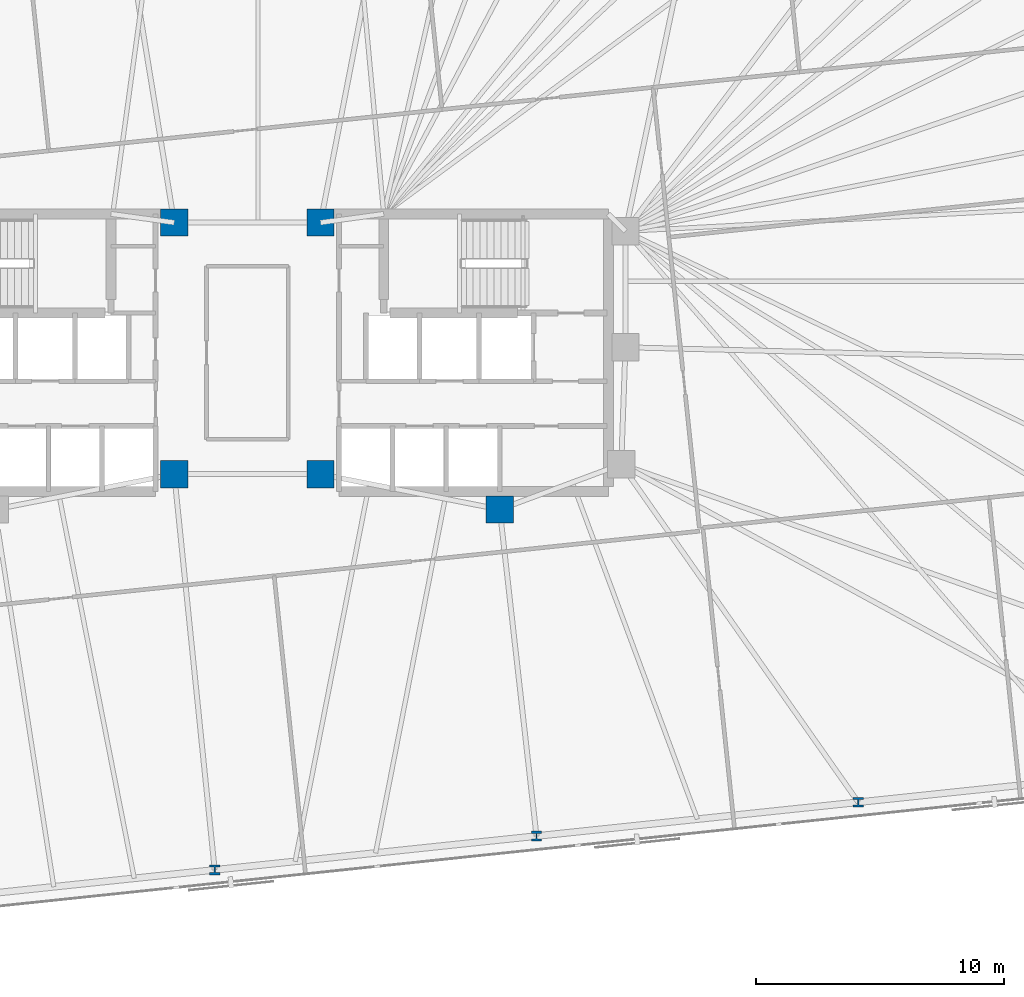
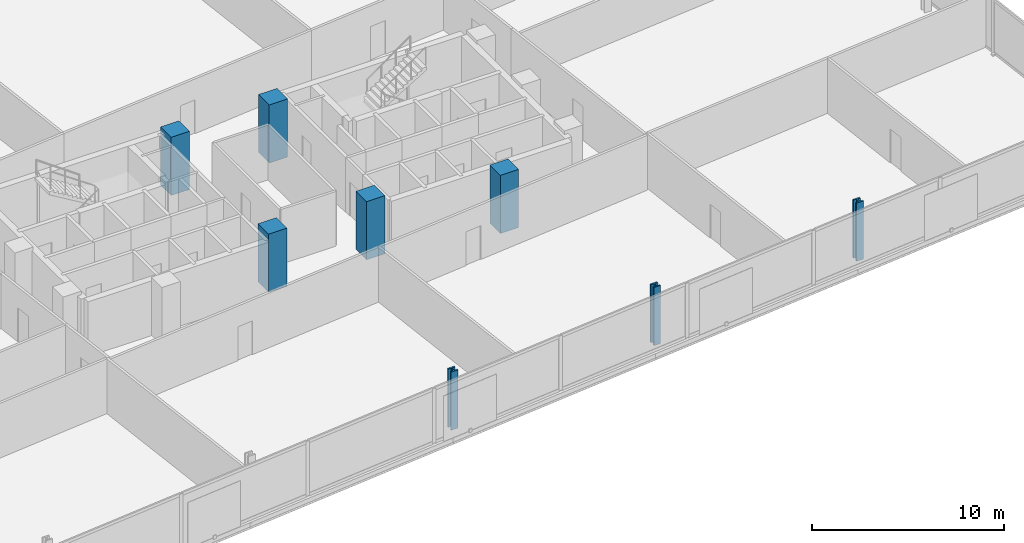
# One storey, part 3 of 18: 8 columns.
"""IFC4 building model written with IfcOpenShell, lengths in metres."""

from ifc_helpers import new_model, si_unit, direction, frame, origin, origin_2d, place, context, subcontext, project, spatial, rectangle, i_section, extrude, material, material_profile, profile_set, type_object, element, save


model = new_model("IFC4")

# Units and contexts
model_context = context("Model", 3, precision=1e-05, world=origin(), true_north=direction((0.0, 1.0)))
body_context = subcontext(model_context, "Body", "Model", "MODEL_VIEW")
ifc_project = project(units=[si_unit("LENGTHUNIT", "METRE"), si_unit("AREAUNIT", "SQUARE_METRE"), si_unit("VOLUMEUNIT", "CUBIC_METRE"), si_unit("PLANEANGLEUNIT", "RADIAN"), si_unit("MASSUNIT", "GRAM", prefix="KILO")], contexts=[model_context])

# Site, building, storey
site_placement = place(None, origin())
site = spatial("IfcSite", under=ifc_project, at=site_placement, CompositionType="ELEMENT")
building_placement = place(site_placement, origin())
building = spatial("IfcBuilding", under=site, at=building_placement, Name="Menara Jurai Vektor", CompositionType="ELEMENT")
storey_placement = place(building_placement, frame((0.0, 0.0, 94.800048828125)))
storey = spatial("IfcBuildingStorey", under=building, at=storey_placement, Name="L23", CompositionType="ELEMENT", Elevation=94.800048828125)

# Columns
ifc_material_1 = material(Name="Concrete C50/60", Category="concrete")
ifc_material_profile_1 = material_profile(ifc_material_1, rectangle(XDim=1.10009765625, YDim=1.10009765625, at=origin_2d()), Name="RC 1100x1100")
ifc_profile_set_1 = profile_set([ifc_material_profile_1], Name="Concrete C50/60")
column_type_1 = type_object("IfcColumnType", Name="STR-COL-RC1100", PredefinedType="COLUMN", material=ifc_profile_set_1)
for number, where, z_axis, x_axis, name in (
    (1, (-2.949951171875, -4.89990234375, 0.0), (0.0, 0.0, 1.0), (1.0, 0.0, 0.0), "Core Spine Column CW-SE L23"),
    (2, (-2.949951171875, 5.25, 0.0), (0.0, 0.0, 1.0), (1.0, 0.0, 0.0), "Core Spine Column CW-NE L23"),
    (3, (10.179931640625, -6.320068359375, 0.0), (0.0, 0.0, 1.0), (1.0, 0.0, 0.0), "Core Spine Column CE-SM L23"),
    (4, (2.949951171875, -4.89990234375, 0.0), (0.0, 0.0, 1.0), (1.0, 0.0, 0.0), "Core Spine Column CE-SW L23"),
    (5, (2.949951171875, 5.25, 0.0), (0.0, 0.0, 1.0), (1.0, 0.0, 0.0), "Core Spine Column CE-NW L23"),
):
    element("IfcColumn", number, at=place(storey_placement, frame(where, z_axis=z_axis, x_axis=x_axis)), inside=storey, type_object=column_type_1, Name=name, PredefinedType="COLUMN", context=body_context, shape_type="SweptSolid", body=[
        extrude(rectangle(XDim=1.10009765625, YDim=1.10009765625, at=origin_2d()), origin(), (0.0, 0.0, 1.0), 3.699951171875),
    ])
ifc_material_2 = material(Name="Steel S460", Category="steel")
ifc_material_profile_2 = material_profile(ifc_material_2, i_section(OverallWidth=0.4130859375, OverallDepth=0.39794921875, WebThickness=0.055908203125, FlangeThickness=0.089111328125, FilletRadius=0.014892578125, at=origin_2d()), Name="HD 400x744")
ifc_profile_set_2 = profile_set([ifc_material_profile_2], Name="Steel S460")
column_type_2 = type_object("IfcColumnType", Name="STR-EXO-BLK2", PredefinedType="COLUMN", material=ifc_profile_set_2)
for number, where, z_axis, x_axis, name in (
    (6, (-1.317138671875, -20.857666015625, 0.0), (0.0, 0.0, 1.0), (1.0, 0.0, 0.0), "Exoskeleton Column BLK2-S3 L23"),
    (7, (11.66259765625, -19.49365234375, 0.0), (0.0, 0.0, 1.0), (1.0, 0.0, 0.0), "Exoskeleton Column BLK2-S4 L23"),
    (8, (24.642333984375, -18.12939453125, 0.0), (0.0, 0.0, 1.0), (1.0, 0.0, 0.0), "Exoskeleton Column BLK2-S5 L23"),
):
    element("IfcColumn", number, at=place(storey_placement, frame(where, z_axis=z_axis, x_axis=x_axis)), inside=storey, type_object=column_type_2, Name=name, PredefinedType="COLUMN", context=body_context, shape_type="SweptSolid", body=[
        extrude(i_section(OverallWidth=0.4130859375, OverallDepth=0.39794921875, WebThickness=0.055908203125, FlangeThickness=0.089111328125, FilletRadius=0.014892578125, at=origin_2d()), origin(), (0.0, 0.0, 1.0), 3.699951171875),
    ])

save(model, "model.ifc")
